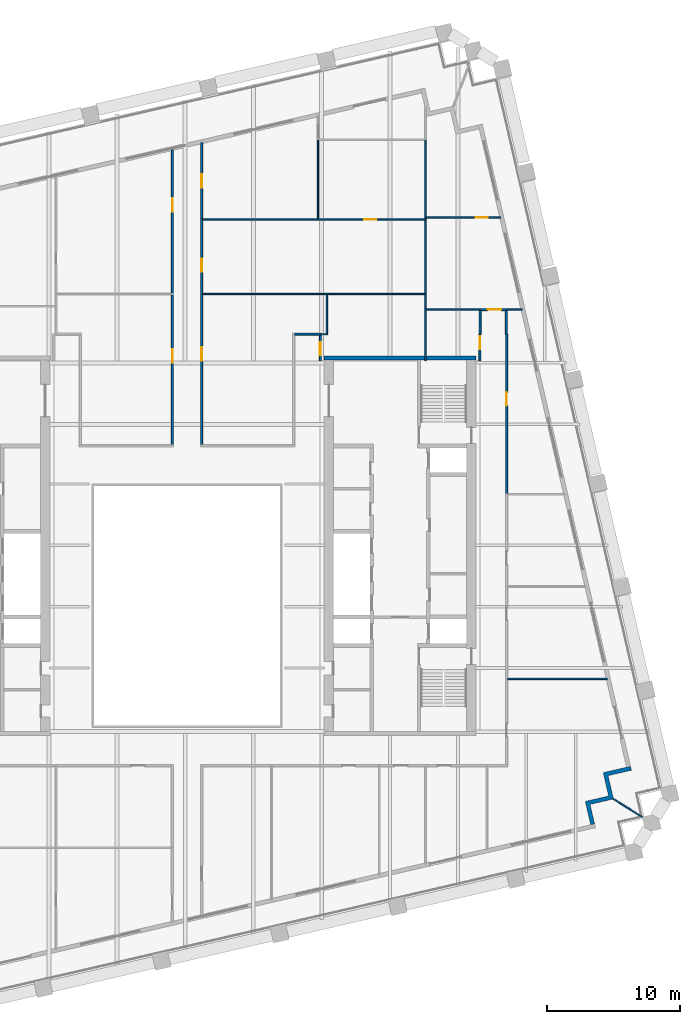
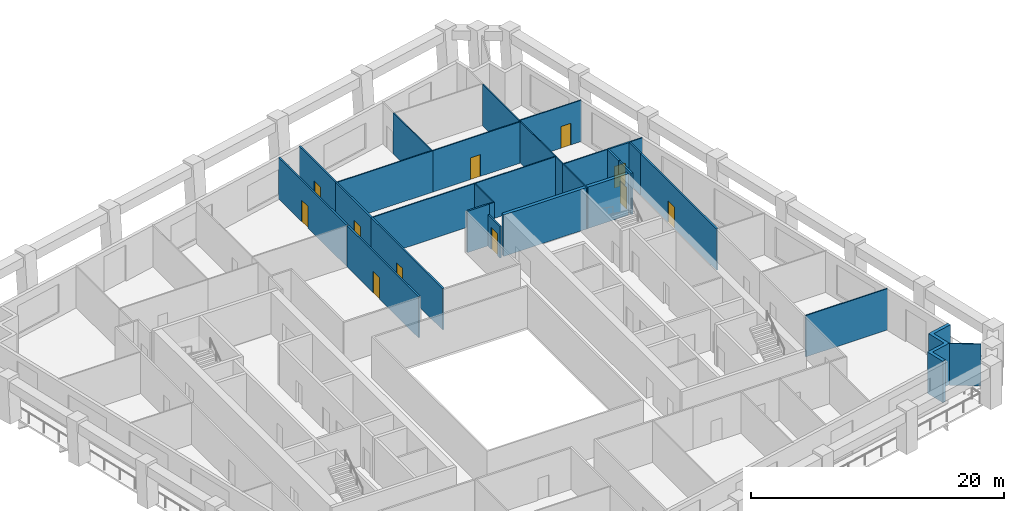
# One storey, part 8 of 10: 30 walls, 11 doors, 11 openings.
"""IFC4 building model written with IfcOpenShell, lengths in metres."""

from ifc_helpers import new_model, si_unit, direction, frame, frame_2d, origin, place, context, subcontext, project, spatial, polyline, rectangle, outline, extrude, material, layer, layer_set, type_object, element, fill, save


model = new_model("IFC4")

# Units and contexts
model_context = context("Model", 3, precision=1e-05, world=origin(), true_north=direction((0.0, 1.0)))
body_context = subcontext(model_context, "Body", "Model", "MODEL_VIEW")
ifc_project = project(units=[si_unit("LENGTHUNIT", "METRE"), si_unit("AREAUNIT", "SQUARE_METRE"), si_unit("VOLUMEUNIT", "CUBIC_METRE"), si_unit("PLANEANGLEUNIT", "RADIAN"), si_unit("MASSUNIT", "GRAM", prefix="KILO")], contexts=[model_context])

# Site, building, storey
site_placement = place(None, origin())
site = spatial("IfcSite", under=ifc_project, at=site_placement, CompositionType="ELEMENT")
building_placement = place(site_placement, origin())
building = spatial("IfcBuilding", under=site, at=building_placement, Name="Ogive Exchange Tower", CompositionType="ELEMENT")
storey_placement = place(building_placement, frame((0.0, 0.0, 180.0)))
storey = spatial("IfcBuildingStorey", under=building, at=storey_placement, Name="L39", CompositionType="ELEMENT", Elevation=180.0)

# Wall, opening, door
ifc_material_1 = material(Name="Fire partition EI 60 150")
ifc_layer_1 = layer(ifc_material_1, 0.14990234375)
ifc_layer_set_1 = layer_set([ifc_layer_1], Name="Fire partition EI 60 150")
wall_type_1 = type_object("IfcWallType", Name="Fire partition EI 60 150", PredefinedType="PARTITIONING", material=ifc_layer_set_1)
wall_1_placement = place(storey_placement, frame((-1.10009765625, 19.074951171875, 0.0), z_axis=(0.0, 0.0, 1.0), x_axis=(0.0, 1.0, 0.0)))
wall_1 = element("IfcWall", 1, at=wall_1_placement, inside=storey, type_object=wall_type_1, Name="L39-PWL-034", PredefinedType="PARTITIONING", context=body_context, shape_type="SweptSolid", body=[
    extrude(rectangle(XDim=11.295166015625, YDim=0.14990234375, at=frame_2d((5.6474609375, 0.0))), origin(), (0.0, 0.0, 1.0), 4.0),
])
opening_1_placement = place(wall_1_placement, frame((6.195068359375, 0.0, 0.0)))
opening_1 = element("IfcOpeningElement", 2, at=opening_1_placement, cuts=wall_1, Name="Opening L39-I03", PredefinedType="OPENING", context=body_context, shape_type="SweptSolid", body=[
    extrude(rectangle(XDim=1.0, YDim=2.10009765625, at=frame_2d((0.5, 1.050048828125))), frame((0.0, 0.0849609375, 0.0), z_axis=(0.0, -1.0, 0.0), x_axis=(1.0, 0.0, 0.0)), (0.0, 0.0, 1.0), 0.169921875),
])
ifc_material_2 = material(Name="Fire door FD 30S 1000 x 2100")
door_type_1 = type_object("IfcDoorType", Name="Fire door FD 30S 1000 x 2100", OperationType="NOTDEFINED", PredefinedType="DOOR", material=ifc_material_2)
door_1_placement = place(opening_1_placement, origin())
door_1 = element("IfcDoor", 3, at=door_1_placement, inside=storey, type_object=door_type_1, Name="L39-IDR-003", ObjectType="DT3", OperationType="SINGLE_SWING_RIGHT", OverallHeight=2.10009765625, OverallWidth=1.0, PredefinedType="DOOR", context=body_context, shape_type="SweptSolid", body=[
    extrude(rectangle(XDim=1.0, YDim=2.10009765625, at=frame_2d((0.5, 1.050048828125))), frame((0.0, 0.02490234375, 0.0), z_axis=(0.0, -1.0, 0.0), x_axis=(1.0, 0.0, 0.0)), (0.0, 0.0, 1.0), 0.050048828125),
])
fill(opening_1, door_1)

wall_2_placement = place(storey_placement, frame((-1.10009765625, 30.469970703125, 0.0), z_axis=(0.0, 0.0, 1.0), x_axis=(0.0, 1.0, 0.0)))
wall_2 = element("IfcWall", 4, at=wall_2_placement, inside=storey, type_object=wall_type_1, Name="L39-PWL-035", PredefinedType="PARTITIONING", context=body_context, shape_type="SweptSolid", body=[
    extrude(rectangle(XDim=10.800048828125, YDim=0.14990234375, at=frame_2d((5.39990234375, 0.0))), origin(), (0.0, 0.0, 1.0), 4.0),
])
opening_2_placement = place(wall_2_placement, frame((6.1298828125, 0.0, 0.0)))
opening_2 = element("IfcOpeningElement", 5, at=opening_2_placement, cuts=wall_2, Name="Opening L39-I04", PredefinedType="OPENING", context=body_context, shape_type="SweptSolid", body=[
    extrude(rectangle(XDim=1.0, YDim=2.10009765625, at=frame_2d((0.5, 1.050048828125))), frame((0.0, 0.0849609375, 0.0), z_axis=(0.0, -1.0, 0.0), x_axis=(1.0, 0.0, 0.0)), (0.0, 0.0, 1.0), 0.169921875),
])
door_2_placement = place(opening_2_placement, origin())
door_2 = element("IfcDoor", 6, at=door_2_placement, inside=storey, type_object=door_type_1, Name="L39-IDR-004", ObjectType="DT3", OperationType="SINGLE_SWING_LEFT", OverallHeight=2.10009765625, OverallWidth=1.0, PredefinedType="DOOR", context=body_context, shape_type="SweptSolid", body=[
    extrude(rectangle(XDim=1.0, YDim=2.10009765625, at=frame_2d((0.5, 1.050048828125))), frame((0.0, 0.02490234375, 0.0), z_axis=(0.0, -1.0, 0.0), x_axis=(1.0, 0.0, 0.0)), (0.0, 0.0, 1.0), 0.050048828125),
])
fill(opening_2, door_2)

wall_3_placement = place(storey_placement, frame((1.10009765625, 30.469970703125, 0.0), z_axis=(0.0, 0.0, 1.0), x_axis=(0.0, -1.0, 0.0)))
wall_3 = element("IfcWall", 7, at=wall_3_placement, inside=storey, type_object=wall_type_1, Name="L39-PWL-038", PredefinedType="PARTITIONING", context=body_context, shape_type="SweptSolid", body=[
    extrude(rectangle(XDim=11.39501953125, YDim=0.14990234375, at=frame_2d((5.697509765625, 0.0))), origin(), (0.0, 0.0, 1.0), 4.0),
])
opening_3_placement = place(wall_3_placement, frame((4.070068359375, 0.0, 0.0)))
opening_3 = element("IfcOpeningElement", 8, at=opening_3_placement, cuts=wall_3, Name="Opening L39-I25", PredefinedType="OPENING", context=body_context, shape_type="SweptSolid", body=[
    extrude(rectangle(XDim=1.0, YDim=2.10009765625, at=frame_2d((0.5, 1.050048828125))), frame((0.0, 0.0849609375, 0.0), z_axis=(0.0, -1.0, 0.0), x_axis=(1.0, 0.0, 0.0)), (0.0, 0.0, 1.0), 0.169921875),
])
door_3_placement = place(opening_3_placement, origin())
door_3 = element("IfcDoor", 9, at=door_3_placement, inside=storey, type_object=door_type_1, Name="L39-IDR-025", ObjectType="DT3", OperationType="SINGLE_SWING_LEFT", OverallHeight=2.10009765625, OverallWidth=1.0, PredefinedType="DOOR", context=body_context, shape_type="SweptSolid", body=[
    extrude(rectangle(XDim=1.0, YDim=2.10009765625, at=frame_2d((0.5, 1.050048828125))), frame((0.0, 0.02490234375, 0.0), z_axis=(0.0, -1.0, 0.0), x_axis=(1.0, 0.0, 0.0)), (0.0, 0.0, 1.0), 0.050048828125),
])
fill(opening_3, door_3)

wall_4_placement = place(storey_placement, frame((1.10009765625, 36.050048828125, 0.0), z_axis=(0.0, 0.0, 1.0), x_axis=(0.0, -1.0, 0.0)))
wall_4 = element("IfcWall", 10, at=wall_4_placement, inside=storey, type_object=wall_type_1, Name="L39-PWL-040", PredefinedType="PARTITIONING", context=body_context, shape_type="SweptSolid", body=[
    extrude(rectangle(XDim=5.630126953125, YDim=0.14990234375, at=frame_2d((2.81494140625, 0.0))), origin(), (0.0, 0.0, 1.0), 4.0),
])
opening_4_placement = place(wall_4_placement, frame((2.97998046875, 0.0, 0.0)))
opening_4 = element("IfcOpeningElement", 11, at=opening_4_placement, cuts=wall_4, Name="Opening L39-I27", PredefinedType="OPENING", context=body_context, shape_type="SweptSolid", body=[
    extrude(rectangle(XDim=1.0, YDim=2.10009765625, at=frame_2d((0.5, 1.050048828125))), frame((0.0, 0.0849609375, 0.0), z_axis=(0.0, -1.0, 0.0), x_axis=(1.0, 0.0, 0.0)), (0.0, 0.0, 1.0), 0.169921875),
])
door_4_placement = place(opening_4_placement, origin())
door_4 = element("IfcDoor", 12, at=door_4_placement, inside=storey, type_object=door_type_1, Name="L39-IDR-027", ObjectType="DT3", OperationType="SINGLE_SWING_LEFT", OverallHeight=2.10009765625, OverallWidth=1.0, PredefinedType="DOOR", context=body_context, shape_type="SweptSolid", body=[
    extrude(rectangle(XDim=1.0, YDim=2.10009765625, at=frame_2d((0.5, 1.050048828125))), frame((0.0, 0.02490234375, 0.0), z_axis=(0.0, -1.0, 0.0), x_axis=(1.0, 0.0, 0.0)), (0.0, 0.0, 1.0), 0.050048828125),
])
fill(opening_4, door_4)

wall_5_placement = place(storey_placement, frame((1.10009765625, 41.778076171875, 0.0), z_axis=(0.0, 0.0, 1.0), x_axis=(0.0, -1.0, 0.0)))
wall_5 = element("IfcWall", 13, at=wall_5_placement, inside=storey, type_object=wall_type_1, Name="L39-PWL-042", PredefinedType="PARTITIONING", context=body_context, shape_type="SweptSolid", body=[
    extrude(rectangle(XDim=5.778076171875, YDim=0.14990234375, at=frame_2d((2.88916015625, 0.0))), origin(), (0.0, 0.0, 1.0), 4.0),
])
opening_5_placement = place(wall_5_placement, frame((2.3779296875, 0.0, 0.0)))
opening_5 = element("IfcOpeningElement", 14, at=opening_5_placement, cuts=wall_5, Name="Opening L39-I28", PredefinedType="OPENING", context=body_context, shape_type="SweptSolid", body=[
    extrude(rectangle(XDim=1.0, YDim=2.10009765625, at=frame_2d((0.5, 1.050048828125))), frame((0.0, 0.0849609375, 0.0), z_axis=(0.0, -1.0, 0.0), x_axis=(1.0, 0.0, 0.0)), (0.0, 0.0, 1.0), 0.169921875),
])
door_5_placement = place(opening_5_placement, origin())
door_5 = element("IfcDoor", 15, at=door_5_placement, inside=storey, type_object=door_type_1, Name="L39-IDR-028", ObjectType="DT3", OperationType="SINGLE_SWING_RIGHT", OverallHeight=2.10009765625, OverallWidth=1.0, PredefinedType="DOOR", context=body_context, shape_type="SweptSolid", body=[
    extrude(rectangle(XDim=1.0, YDim=2.10009765625, at=frame_2d((0.5, 1.050048828125))), frame((0.0, 0.02490234375, 0.0), z_axis=(0.0, -1.0, 0.0), x_axis=(1.0, 0.0, 0.0)), (0.0, 0.0, 1.0), 0.050048828125),
])
fill(opening_5, door_5)

# Wall
wall_6_placement = place(storey_placement, frame((8.074951171875, 27.39990234375, 0.0), z_axis=(0.0, 0.0, 1.0), x_axis=(1.0, 0.0, 0.0)))
element("IfcWall", 16, at=wall_6_placement, inside=storey, type_object=wall_type_1, Name="L39-PWL-046", PredefinedType="PARTITIONING", context=body_context, shape_type="SweptSolid", body=[
    extrude(rectangle(XDim=2.0, YDim=0.14990234375, at=frame_2d((1.0, 0.0))), origin(), (0.0, 0.0, 1.0), 4.0),
])

# Wall, opening, door
wall_7_placement = place(storey_placement, frame((10.010009765625, 27.31494140625, 0.0), z_axis=(0.0, 0.0, 1.0), x_axis=(0.0, -1.0, 0.0)))
wall_7 = element("IfcWall", 17, at=wall_7_placement, inside=storey, type_object=wall_type_1, Name="L39-PWL-052", PredefinedType="PARTITIONING", context=body_context, shape_type="SweptSolid", body=[
    extrude(rectangle(XDim=1.9150390625, YDim=0.14990234375, at=frame_2d((0.95751953125, 0.0))), origin(), (0.0, 0.0, 1.0), 3.02001953125),
])
opening_6_placement = place(wall_7_placement, frame((0.514892578125, 0.0, 0.0)))
opening_6 = element("IfcOpeningElement", 18, at=opening_6_placement, cuts=wall_7, Name="Opening L39-I26", PredefinedType="OPENING", context=body_context, shape_type="SweptSolid", body=[
    extrude(rectangle(XDim=1.0, YDim=2.10009765625, at=frame_2d((0.5, 1.050048828125))), frame((0.0, 0.0849609375, 0.0), z_axis=(0.0, -1.0, 0.0), x_axis=(1.0, 0.0, 0.0)), (0.0, 0.0, 1.0), 0.169921875),
])
door_6_placement = place(opening_6_placement, origin())
door_6 = element("IfcDoor", 19, at=door_6_placement, inside=storey, type_object=door_type_1, Name="L39-IDR-026", ObjectType="DT3", OperationType="SINGLE_SWING_RIGHT", OverallHeight=2.10009765625, OverallWidth=1.0, PredefinedType="DOOR", context=body_context, shape_type="SweptSolid", body=[
    extrude(rectangle(XDim=1.0, YDim=2.10009765625, at=frame_2d((0.5, 1.050048828125))), frame((0.0, 0.02490234375, 0.0), z_axis=(0.0, -1.0, 0.0), x_axis=(1.0, 0.0, 0.0)), (0.0, 0.0, 1.0), 0.050048828125),
])
fill(opening_6, door_6)

wall_8_placement = place(storey_placement, frame((22.0, 25.39990234375, 0.0), z_axis=(0.0, 0.0, 1.0), x_axis=(0.0, 1.0, 0.0)))
wall_8 = element("IfcWall", 20, at=wall_8_placement, inside=storey, type_object=wall_type_1, Name="L39-PWL-067", PredefinedType="PARTITIONING", context=body_context, shape_type="SweptSolid", body=[
    extrude(rectangle(XDim=2.0, YDim=0.14990234375, at=frame_2d((1.0, 0.0))), origin(), (0.0, 0.0, 1.0), 4.0),
])
opening_7_placement = place(wall_8_placement, frame((0.85009765625, 0.0, 0.0)))
opening_7 = element("IfcOpeningElement", 21, at=opening_7_placement, cuts=wall_8, Name="Opening L39-I17", PredefinedType="OPENING", context=body_context, shape_type="SweptSolid", body=[
    extrude(rectangle(XDim=1.0, YDim=2.10009765625, at=frame_2d((0.5, 1.050048828125))), frame((0.0, 0.0849609375, 0.0), z_axis=(0.0, -1.0, 0.0), x_axis=(1.0, 0.0, 0.0)), (0.0, 0.0, 1.0), 0.169921875),
])
door_7_placement = place(opening_7_placement, origin())
door_7 = element("IfcDoor", 22, at=door_7_placement, inside=storey, type_object=door_type_1, Name="L39-IDR-017", ObjectType="DT3", OperationType="SINGLE_SWING_LEFT", OverallHeight=2.10009765625, OverallWidth=1.0, PredefinedType="DOOR", context=body_context, shape_type="SweptSolid", body=[
    extrude(rectangle(XDim=1.0, YDim=2.10009765625, at=frame_2d((0.5, 1.050048828125))), frame((0.0, 0.02490234375, 0.0), z_axis=(0.0, -1.0, 0.0), x_axis=(1.0, 0.0, 0.0)), (0.0, 0.0, 1.0), 0.050048828125),
])
fill(opening_7, door_7)

# Wall
wall_9_placement = place(storey_placement, frame((22.010009765625, 27.39990234375, 0.0), z_axis=(0.0, 0.0, 1.0), x_axis=(0.0, 1.0, 0.0)))
element("IfcWall", 23, at=wall_9_placement, inside=storey, type_object=wall_type_1, Name="L39-PWL-068", PredefinedType="PARTITIONING", context=body_context, shape_type="SweptSolid", body=[
    extrude(rectangle(XDim=1.7900390625, YDim=0.14990234375, at=frame_2d((0.89501953125, 0.0))), origin(), (0.0, 0.0, 1.0), 4.0),
])

# Wall, opening, door
wall_10_placement = place(storey_placement, frame((22.010009765625, 29.239990234375, 0.0), z_axis=(0.0, 0.0, 1.0), x_axis=(1.0, 0.0, 0.0)))
wall_10 = element("IfcWall", 24, at=wall_10_placement, inside=storey, type_object=wall_type_1, Name="L39-PWL-069", PredefinedType="PARTITIONING", context=body_context, shape_type="SweptSolid", body=[
    extrude(rectangle(XDim=2.054931640625, YDim=0.14990234375, at=frame_2d((1.02734375, 0.0))), origin(), (0.0, 0.0, 1.0), 4.0),
])
opening_8_placement = place(wall_10_placement, frame((0.580078125, 0.0, 0.0)))
opening_8 = element("IfcOpeningElement", 25, at=opening_8_placement, cuts=wall_10, Name="Opening L39-I23", PredefinedType="OPENING", context=body_context, shape_type="SweptSolid", body=[
    extrude(rectangle(XDim=1.0, YDim=2.10009765625, at=frame_2d((0.5, 1.050048828125))), frame((0.0, 0.0849609375, 0.0), z_axis=(0.0, -1.0, 0.0), x_axis=(1.0, 0.0, 0.0)), (0.0, 0.0, 1.0), 0.169921875),
])
door_8_placement = place(opening_8_placement, origin())
door_8 = element("IfcDoor", 26, at=door_8_placement, inside=storey, type_object=door_type_1, Name="L39-IDR-023", ObjectType="DT3", OperationType="SINGLE_SWING_LEFT", OverallHeight=2.10009765625, OverallWidth=1.0, PredefinedType="DOOR", context=body_context, shape_type="SweptSolid", body=[
    extrude(rectangle(XDim=1.0, YDim=2.10009765625, at=frame_2d((0.5, 1.050048828125))), frame((0.0, 0.02490234375, 0.0), z_axis=(0.0, -1.0, 0.0), x_axis=(1.0, 0.0, 0.0)), (0.0, 0.0, 1.0), 0.050048828125),
])
fill(opening_8, door_8)

# Wall
wall_11_placement = place(storey_placement, frame((23.989990234375, 29.1650390625, 0.0), z_axis=(0.0, 0.0, 1.0), x_axis=(0.0, -1.0, 0.0)))
element("IfcWall", 27, at=wall_11_placement, inside=storey, type_object=wall_type_1, Name="L39-PWL-072", PredefinedType="PARTITIONING", context=body_context, shape_type="SweptSolid", body=[
    extrude(rectangle(XDim=1.76513671875, YDim=0.14990234375, at=frame_2d((0.882568359375, 0.0))), origin(), (0.0, 0.0, 1.0), 4.0),
])

# Wall, opening, door
wall_12_placement = place(storey_placement, frame((24.0, 27.39990234375, 0.0), z_axis=(0.0, 0.0, 1.0), x_axis=(0.0, -1.0, 0.0)))
wall_12 = element("IfcWall", 28, at=wall_12_placement, inside=storey, type_object=wall_type_1, Name="L39-PWL-081", PredefinedType="PARTITIONING", context=body_context, shape_type="SweptSolid", body=[
    extrude(rectangle(XDim=12.02001953125, YDim=0.14990234375, at=frame_2d((6.010009765625, 0.0))), origin(), (0.0, 0.0, 1.0), 4.0),
])
opening_9_placement = place(wall_12_placement, frame((4.3701171875, 0.0, 0.0)))
opening_9 = element("IfcOpeningElement", 29, at=opening_9_placement, cuts=wall_12, Name="Opening L39-I22", PredefinedType="OPENING", context=body_context, shape_type="SweptSolid", body=[
    extrude(rectangle(XDim=1.0, YDim=2.10009765625, at=frame_2d((0.5, 1.050048828125))), frame((0.0, 0.0849609375, 0.0), z_axis=(0.0, -1.0, 0.0), x_axis=(1.0, 0.0, 0.0)), (0.0, 0.0, 1.0), 0.169921875),
])
door_9_placement = place(opening_9_placement, origin())
door_9 = element("IfcDoor", 30, at=door_9_placement, inside=storey, type_object=door_type_1, Name="L39-IDR-022", ObjectType="DT3", OperationType="SINGLE_SWING_RIGHT", OverallHeight=2.10009765625, OverallWidth=1.0, PredefinedType="DOOR", context=body_context, shape_type="SweptSolid", body=[
    extrude(rectangle(XDim=1.0, YDim=2.10009765625, at=frame_2d((0.5, 1.050048828125))), frame((0.0, 0.02490234375, 0.0), z_axis=(0.0, -1.0, 0.0), x_axis=(1.0, 0.0, 0.0)), (0.0, 0.0, 1.0), 0.050048828125),
])
fill(opening_9, door_9)

# Walls
ifc_material_3 = material(Name="Precast concrete C40/50", Category="concrete")
ifc_layer_2 = layer(ifc_material_3, 0.300048828125)
ifc_layer_set_2 = layer_set([ifc_layer_2], Name="Limestone-faced wall 300")
wall_type_2 = type_object("IfcWallType", Name="Limestone-faced wall 300", PredefinedType="STANDARD", material=ifc_layer_set_2)
wall_13_placement = place(storey_placement, origin())
element("IfcWall", 31, at=wall_13_placement, inside=storey, type_object=wall_type_2, Name="External corner wall C1", PredefinedType="STANDARD", context=body_context, shape_type="SweptSolid", body=[
    extrude(outline(polyline([(31.662109375, -7.28466796875), (31.257080078125, -5.53076171875), (33.30322265625, -5.058349609375), (33.370849609375, -5.3505859375), (31.616943359375, -5.755615234375), (32.02197265625, -7.509521484375), (30.26806640625, -7.914306640625), (30.60546875, -9.3759765625), (30.31298828125, -9.443359375), (29.908203125, -7.689697265625), (31.662109375, -7.28466796875)])), origin(), (0.0, 0.0, 1.0), 4.0),
])
ifc_material_4 = material(Name="Laminated safety glass in steel frame", Category="steel")
ifc_layer_3 = layer(ifc_material_4, 0.10009765625)
ifc_layer_set_3 = layer_set([ifc_layer_3], Name="Loggia end screen 100")
wall_type_3 = type_object("IfcWallType", Name="Loggia end screen 100", PredefinedType="STANDARD", material=ifc_layer_set_3)
wall_14_placement = place(storey_placement, frame((32.02197265625, -7.509521484375, -0.050048828125), z_axis=(0.0, 0.0, 1.0), x_axis=(0.848047176257, -0.529920736377, 0.0)))
element("IfcWall", 32, at=wall_14_placement, inside=storey, type_object=wall_type_3, Name="Loggia end screen C1", PredefinedType="STANDARD", context=body_context, shape_type="SweptSolid", body=[
    extrude(rectangle(XDim=2.525634765625, YDim=0.10009765625, at=frame_2d((1.2626953125, 0.0))), origin(), (0.0, 0.0, 1.0), 4.050048828125),
])
ifc_material_5 = material(Name="Partition 100 gypsum")
ifc_layer_4 = layer(ifc_material_5, 0.10009765625)
ifc_layer_set_4 = layer_set([ifc_layer_4], Name="Partition 100 gypsum")
wall_type_4 = type_object("IfcWallType", Name="Partition 100 gypsum", PredefinedType="PARTITIONING", material=ifc_layer_set_4)
wall_15_placement = place(storey_placement, frame((1.175048828125, 30.419921875, 0.0), z_axis=(0.0, 0.0, 1.0), x_axis=(1.0, 0.0, 0.0)))
element("IfcWall", 33, at=wall_15_placement, inside=storey, type_object=wall_type_4, Name="L39-PWL-039", PredefinedType="PARTITIONING", context=body_context, shape_type="SweptSolid", body=[
    extrude(rectangle(XDim=9.375, YDim=0.10009765625, at=frame_2d((4.6875, 0.0))), origin(), (0.0, 0.0, 1.0), 4.0),
])
wall_16_placement = place(storey_placement, frame((1.175048828125, 36.0, 0.0), z_axis=(0.0, 0.0, 1.0), x_axis=(1.0, 0.0, 0.0)))
element("IfcWall", 34, at=wall_16_placement, inside=storey, type_object=wall_type_4, Name="L39-PWL-041", PredefinedType="PARTITIONING", context=body_context, shape_type="SweptSolid", body=[
    extrude(rectangle(XDim=8.704833984375, YDim=0.10009765625, at=frame_2d((4.3525390625, 0.0))), origin(), (0.0, 0.0, 1.0), 4.0),
])

# Wall, opening, door
wall_17_placement = place(storey_placement, frame((9.8798828125, 36.0, 0.0), z_axis=(0.0, 0.0, 1.0), x_axis=(1.0, 0.0, 0.0)))
wall_17 = element("IfcWall", 35, at=wall_17_placement, inside=storey, type_object=wall_type_4, Name="L39-PWL-047", PredefinedType="PARTITIONING", context=body_context, shape_type="SweptSolid", body=[
    extrude(rectangle(XDim=8.090087890625, YDim=0.10009765625, at=frame_2d((4.044921875, 0.0))), origin(), (0.0, 0.0, 1.0), 4.0),
])
opening_10_placement = place(wall_17_placement, frame((3.43994140625, 0.0, 0.0)))
opening_10 = element("IfcOpeningElement", 36, at=opening_10_placement, cuts=wall_17, Name="Opening L39-I29", PredefinedType="OPENING", context=body_context, shape_type="SweptSolid", body=[
    extrude(rectangle(XDim=0.89990234375, YDim=2.10009765625, at=frame_2d((0.449951171875, 1.050048828125))), frame((0.0, 0.06005859375, 0.0), z_axis=(0.0, -1.0, 0.0), x_axis=(1.0, 0.0, 0.0)), (0.0, 0.0, 1.0), 0.1201171875),
])
ifc_material_6 = material(Name="Door 900 x 2100")
door_type_2 = type_object("IfcDoorType", Name="Door 900 x 2100", OperationType="NOTDEFINED", PredefinedType="DOOR", material=ifc_material_6)
door_10_placement = place(opening_10_placement, origin())
door_10 = element("IfcDoor", 37, at=door_10_placement, inside=storey, type_object=door_type_2, Name="L39-IDR-029", ObjectType="DT1", OperationType="SINGLE_SWING_RIGHT", OverallHeight=2.10009765625, OverallWidth=0.89990234375, PredefinedType="DOOR", context=body_context, shape_type="SweptSolid", body=[
    extrude(rectangle(XDim=0.89990234375, YDim=2.10009765625, at=frame_2d((0.449951171875, 1.050048828125))), frame((0.0, 0.02490234375, 0.0), z_axis=(0.0, -1.0, 0.0), x_axis=(1.0, 0.0, 0.0)), (0.0, 0.0, 1.0), 0.050048828125),
])
fill(opening_10, door_10)

# Walls
wall_18_placement = place(storey_placement, frame((9.830078125, 42.050048828125, 0.0), z_axis=(0.0, 0.0, 1.0), x_axis=(0.0, -1.0, 0.0)))
element("IfcWall", 38, at=wall_18_placement, inside=storey, type_object=wall_type_4, Name="L39-PWL-048", PredefinedType="PARTITIONING", context=body_context, shape_type="SweptSolid", body=[
    extrude(rectangle(XDim=6.0, YDim=0.10009765625, at=frame_2d((3.0, 0.0))), origin(), (0.0, 0.0, 1.0), 4.0),
])
wall_19_placement = place(storey_placement, frame((10.550048828125, 27.389892578125, 0.0), z_axis=(0.0, 0.0, 1.0), x_axis=(-1.0, 0.0, 0.0)))
element("IfcWall", 39, at=wall_19_placement, inside=storey, type_object=wall_type_4, Name="L39-PWL-053", PredefinedType="PARTITIONING", context=body_context, shape_type="SweptSolid", body=[
    extrude(rectangle(XDim=0.47509765625, YDim=0.10009765625, at=frame_2d((0.237548828125, 0.0))), origin(), (0.0, 0.0, 1.0), 4.0),
])
wall_20_placement = place(storey_placement, frame((10.5, 30.3701171875, 0.0), z_axis=(0.0, 0.0, 1.0), x_axis=(0.0, -1.0, 0.0)))
element("IfcWall", 40, at=wall_20_placement, inside=storey, type_object=wall_type_4, Name="L39-PWL-054", PredefinedType="PARTITIONING", context=body_context, shape_type="SweptSolid", body=[
    extrude(rectangle(XDim=2.93017578125, YDim=0.10009765625, at=frame_2d((1.465087890625, 0.0))), origin(), (0.0, 0.0, 1.0), 4.0),
])
wall_21_placement = place(storey_placement, frame((10.550048828125, 30.419921875, 0.0), z_axis=(0.0, 0.0, 1.0), x_axis=(1.0, 0.0, 0.0)))
element("IfcWall", 41, at=wall_21_placement, inside=storey, type_object=wall_type_4, Name="L39-PWL-055", PredefinedType="PARTITIONING", context=body_context, shape_type="SweptSolid", body=[
    extrude(rectangle(XDim=7.419921875, YDim=0.10009765625, at=frame_2d((3.7099609375, 0.0))), origin(), (0.0, 0.0, 1.0), 4.0),
])
wall_22_placement = place(storey_placement, frame((17.919921875, 25.39990234375, 0.0), z_axis=(0.0, 0.0, 1.0), x_axis=(0.0, 1.0, 0.0)))
element("IfcWall", 42, at=wall_22_placement, inside=storey, type_object=wall_type_4, Name="L39-PWL-060", PredefinedType="PARTITIONING", context=body_context, shape_type="SweptSolid", body=[
    extrude(rectangle(XDim=3.89013671875, YDim=0.10009765625, at=frame_2d((1.945068359375, 0.0))), origin(), (0.0, 0.0, 1.0), 4.0),
])
wall_23_placement = place(storey_placement, frame((17.919921875, 29.2900390625, 0.0), z_axis=(0.0, 0.0, 1.0), x_axis=(0.0, 1.0, 0.0)))
element("IfcWall", 43, at=wall_23_placement, inside=storey, type_object=wall_type_4, Name="L39-PWL-061", PredefinedType="PARTITIONING", context=body_context, shape_type="SweptSolid", body=[
    extrude(rectangle(XDim=1.080078125, YDim=0.10009765625, at=frame_2d((0.5400390625, 0.0))), origin(), (0.0, 0.0, 1.0), 4.0),
])
wall_24_placement = place(storey_placement, frame((17.969970703125, 29.239990234375, 0.0), z_axis=(0.0, 0.0, 1.0), x_axis=(1.0, 0.0, 0.0)))
element("IfcWall", 44, at=wall_24_placement, inside=storey, type_object=wall_type_4, Name="L39-PWL-062", PredefinedType="PARTITIONING", context=body_context, shape_type="SweptSolid", body=[
    extrude(rectangle(XDim=4.0400390625, YDim=0.10009765625, at=frame_2d((2.02001953125, 0.0))), origin(), (0.0, 0.0, 1.0), 4.0),
])
wall_25_placement = place(storey_placement, frame((17.919921875, 30.469970703125, 0.0), z_axis=(0.0, 0.0, 1.0), x_axis=(0.0, 1.0, 0.0)))
element("IfcWall", 45, at=wall_25_placement, inside=storey, type_object=wall_type_4, Name="L39-PWL-063", PredefinedType="PARTITIONING", context=body_context, shape_type="SweptSolid", body=[
    extrude(rectangle(XDim=5.47998046875, YDim=0.10009765625, at=frame_2d((2.739990234375, 0.0))), origin(), (0.0, 0.0, 1.0), 4.0),
])
wall_26_placement = place(storey_placement, frame((17.919921875, 36.1201171875, 0.0), z_axis=(0.0, 0.0, 1.0), x_axis=(0.0, 1.0, 0.0)))
element("IfcWall", 46, at=wall_26_placement, inside=storey, type_object=wall_type_4, Name="L39-PWL-064", PredefinedType="PARTITIONING", context=body_context, shape_type="SweptSolid", body=[
    extrude(rectangle(XDim=5.829833984375, YDim=0.10009765625, at=frame_2d((2.9150390625, 0.0))), origin(), (0.0, 0.0, 1.0), 4.0),
])

# Wall, opening, door
wall_27_placement = place(storey_placement, frame((17.969970703125, 36.169921875, 0.0), z_axis=(0.0, 0.0, 1.0), x_axis=(1.0, 0.0, 0.0)))
wall_27 = element("IfcWall", 47, at=wall_27_placement, inside=storey, type_object=wall_type_4, Name="L39-PWL-065", PredefinedType="PARTITIONING", context=body_context, shape_type="SweptSolid", body=[
    extrude(rectangle(XDim=5.590087890625, YDim=0.10009765625, at=frame_2d((2.794921875, 0.0))), origin(), (0.0, 0.0, 1.0), 4.0),
])
opening_11_placement = place(wall_27_placement, frame((3.719970703125, 0.0, 0.0)))
opening_11 = element("IfcOpeningElement", 48, at=opening_11_placement, cuts=wall_27, Name="Opening L39-I24", PredefinedType="OPENING", context=body_context, shape_type="SweptSolid", body=[
    extrude(rectangle(XDim=0.89990234375, YDim=2.10009765625, at=frame_2d((0.449951171875, 1.050048828125))), frame((0.0, 0.06005859375, 0.0), z_axis=(0.0, -1.0, 0.0), x_axis=(1.0, 0.0, 0.0)), (0.0, 0.0, 1.0), 0.1201171875),
])
door_11_placement = place(opening_11_placement, origin())
door_11 = element("IfcDoor", 49, at=door_11_placement, inside=storey, type_object=door_type_2, Name="L39-IDR-024", ObjectType="DT1", OperationType="SINGLE_SWING_LEFT", OverallHeight=2.10009765625, OverallWidth=0.89990234375, PredefinedType="DOOR", context=body_context, shape_type="SweptSolid", body=[
    extrude(rectangle(XDim=0.89990234375, YDim=2.10009765625, at=frame_2d((0.449951171875, 1.050048828125))), frame((0.0, 0.02490234375, 0.0), z_axis=(0.0, -1.0, 0.0), x_axis=(1.0, 0.0, 0.0)), (0.0, 0.0, 1.0), 0.050048828125),
])
fill(opening_11, door_11)

# Walls
wall_28_placement = place(storey_placement, frame((24.06494140625, 29.239990234375, 0.0), z_axis=(0.0, 0.0, 1.0), x_axis=(1.0, 0.0, 0.0)))
element("IfcWall", 50, at=wall_28_placement, inside=storey, type_object=wall_type_4, Name="L39-PWL-073", PredefinedType="PARTITIONING", context=body_context, shape_type="SweptSolid", body=[
    extrude(rectangle(XDim=1.094970703125, YDim=0.10009765625, at=frame_2d((0.54736328125, 0.0))), origin(), (0.0, 0.0, 1.0), 4.0),
])
wall_29_placement = place(storey_placement, frame((24.074951171875, 1.510009765625, 0.0), z_axis=(0.0, 0.0, 1.0), x_axis=(1.0, 0.0, 0.0)))
element("IfcWall", 51, at=wall_29_placement, inside=storey, type_object=wall_type_4, Name="L39-PWL-076", PredefinedType="PARTITIONING", context=body_context, shape_type="SweptSolid", body=[
    extrude(rectangle(XDim=7.487060546875, YDim=0.10009765625, at=frame_2d((3.74365234375, 0.0))), origin(), (0.0, 0.0, 1.0), 4.0),
])
ifc_material_7 = material(Name="Concrete C70/85", Category="concrete")
ifc_layer_5 = layer(ifc_material_7, 0.300048828125)
ifc_layer_set_5 = layer_set([ifc_layer_5], Name="RC core wall 300 C70/85")
wall_type_5 = type_object("IfcWallType", Name="RC core wall 300 C70/85", PredefinedType="SHEAR", material=ifc_layer_set_5)
wall_30_placement = place(storey_placement, frame((10.300048828125, 25.60009765625, 0.0), z_axis=(0.0, 0.0, 1.0), x_axis=(1.0, 0.0, 0.0)))
element("IfcWall", 52, at=wall_30_placement, inside=storey, type_object=wall_type_5, Name="E north end wall", PredefinedType="SHEAR", context=body_context, shape_type="SweptSolid", body=[
    extrude(rectangle(XDim=11.39990234375, YDim=0.300048828125, at=frame_2d((5.699951171875, 0.0))), origin(), (0.0, 0.0, 1.0), 4.0),
])

save(model, "model.ifc")
